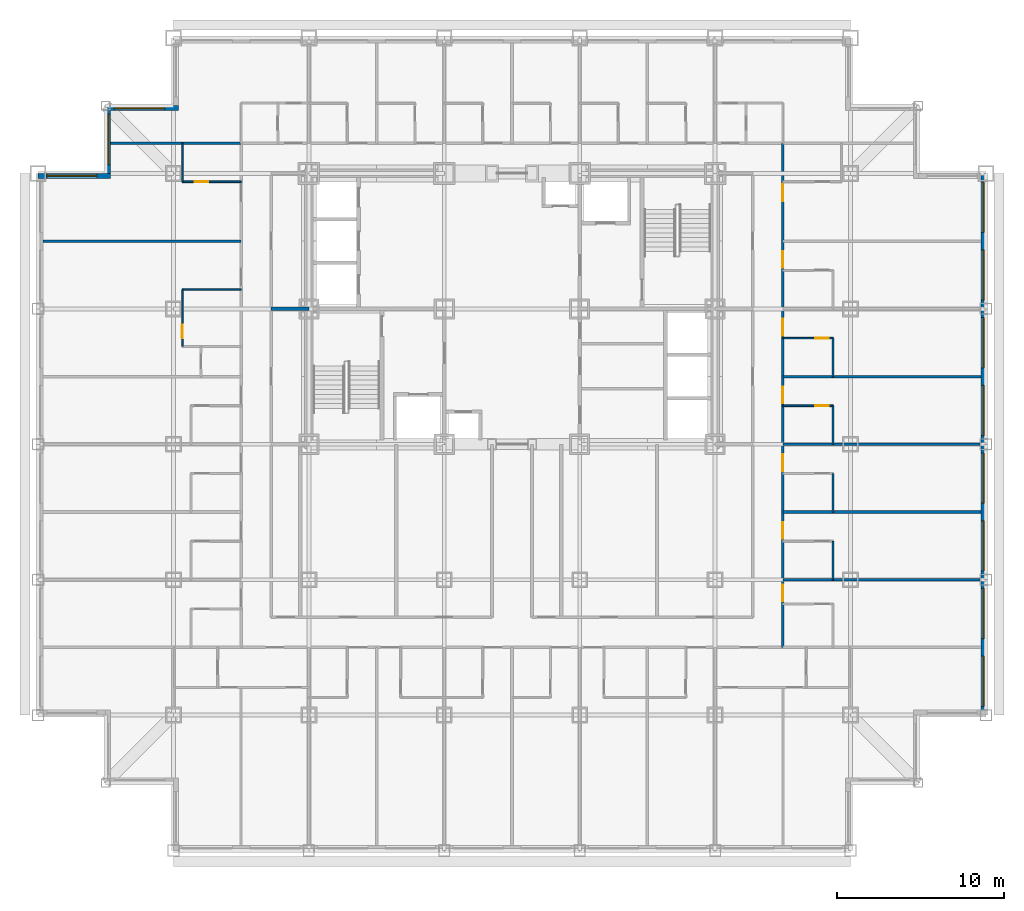
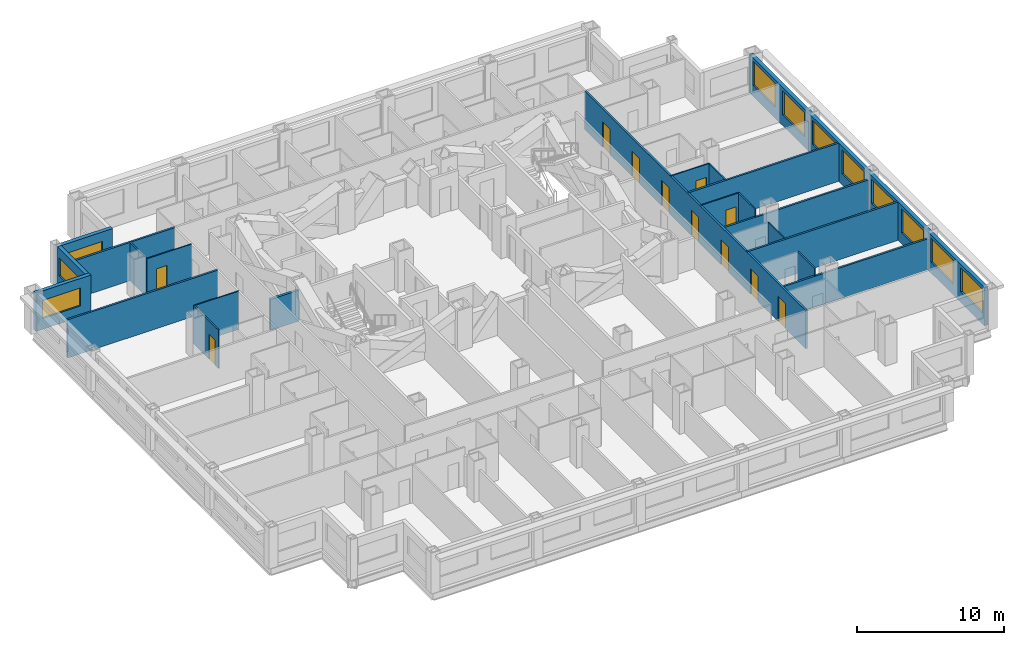
# One storey, part 7 of 11: 22 walls, 11 doors, 11 windows, 22 openings.
"""IFC4 building model written with IfcOpenShell, lengths in metres."""

from ifc_helpers import new_model, si_unit, direction, frame, frame_2d, origin, place, context, subcontext, project, spatial, rectangle, extrude, material, layer, layer_set, type_object, element, fill, save


model = new_model("IFC4")

# Units and contexts
model_context = context("Model", 3, precision=1e-05, world=origin(), true_north=direction((0.0, 1.0)))
body_context = subcontext(model_context, "Body", "Model", "MODEL_VIEW")
ifc_project = project(units=[si_unit("LENGTHUNIT", "METRE"), si_unit("AREAUNIT", "SQUARE_METRE"), si_unit("VOLUMEUNIT", "CUBIC_METRE"), si_unit("PLANEANGLEUNIT", "RADIAN"), si_unit("MASSUNIT", "GRAM", prefix="KILO")], contexts=[model_context])

# Site, building, storey
site_placement = place(None, origin())
site = spatial("IfcSite", under=ifc_project, at=site_placement, CompositionType="ELEMENT")
building_placement = place(site_placement, origin())
building = spatial("IfcBuilding", under=site, at=building_placement, Name="Kopane Lantern Tower", CompositionType="ELEMENT")
storey_placement = place(building_placement, frame((0.0, 0.0, 56.800048828125)))
storey = spatial("IfcBuildingStorey", under=building, at=storey_placement, Name="L13", CompositionType="ELEMENT", Elevation=56.800048828125)

# Wall, opening, door
ifc_material_1 = material(Name="Moisture-resistant board on steel studs", Category="steel")
ifc_layer_1 = layer(ifc_material_1, 0.10009765625)
ifc_layer_set_1 = layer_set([ifc_layer_1], Name="BATHROOM WALL 100")
wall_type_1 = type_object("IfcWallType", Name="BATHROOM WALL 100", PredefinedType="PARTITIONING", material=ifc_layer_set_1)
wall_1_placement = place(storey_placement, frame((8.635009765625, 30.14990234375, 0.0), z_axis=(0.0, 0.0, 1.0), x_axis=(0.0, 1.0, 0.0)))
wall_1 = element("IfcWall", 1, at=wall_1_placement, inside=storey, type_object=wall_type_1, Name="Bathroom Wall 100 L13", PredefinedType="PARTITIONING", context=body_context, shape_type="SweptSolid", body=[
    extrude(rectangle(XDim=3.400146484375, YDim=0.10009765625, at=frame_2d((1.7001953125, 0.0))), origin(), (0.0, 0.0, 1.0), 3.18994140625),
])
opening_1_placement = place(wall_1_placement, frame((0.487548828125, 0.0, 0.0)))
opening_1 = element("IfcOpeningElement", 2, at=opening_1_placement, cuts=wall_1, Name="Opening L13-043", PredefinedType="OPENING", context=body_context, shape_type="SweptSolid", body=[
    extrude(rectangle(XDim=0.800048828125, YDim=2.10009765625, at=frame_2d((0.39990234375, 1.050048828125))), frame((0.0, 0.06005859375, 0.0), z_axis=(0.0, -1.0, 0.0), x_axis=(1.0, 0.0, 0.0)), (0.0, 0.0, 1.0), 0.1201171875),
])
ifc_material_2 = material(Name="Timber door set", Category="wood")
door_type_1 = type_object("IfcDoorType", Name="DOOR D2 800x2100", OperationType="SINGLE_SWING_LEFT", PredefinedType="DOOR", material=ifc_material_2)
door_1_placement = place(opening_1_placement, origin())
door_1 = element("IfcDoor", 3, at=door_1_placement, inside=storey, type_object=door_type_1, Name="Door L13-043", OperationType="SINGLE_SWING_RIGHT", OverallHeight=2.10009765625, OverallWidth=0.800048828125, PredefinedType="DOOR", context=body_context, shape_type="SweptSolid", body=[
    extrude(rectangle(XDim=0.800048828125, YDim=2.10009765625, at=frame_2d((0.39990234375, 1.050048828125))), frame((0.0, 0.02490234375, 0.0), z_axis=(0.0, -1.0, 0.0), x_axis=(1.0, 0.0, 0.0)), (0.0, 0.0, 1.0), 0.050048828125),
])
fill(opening_1, door_1)

# Walls
wall_2_placement = place(storey_placement, frame((12.14990234375, 33.550048828125, 0.0), z_axis=(0.0, 0.0, 1.0), x_axis=(-1.0, 0.0, 0.0)))
element("IfcWall", 4, at=wall_2_placement, inside=storey, type_object=wall_type_1, Name="Bathroom Wall 100 L13", PredefinedType="PARTITIONING", context=body_context, shape_type="SweptSolid", body=[
    extrude(rectangle(XDim=3.514892578125, YDim=0.10009765625, at=frame_2d((1.75732421875, 0.0))), origin(), (0.0, 0.0, 1.0), 3.18994140625),
])
wall_3_placement = place(storey_placement, frame((8.635009765625, 40.0, 0.0), z_axis=(0.0, 0.0, 1.0), x_axis=(0.0, 1.0, 0.0)))
element("IfcWall", 5, at=wall_3_placement, inside=storey, type_object=wall_type_1, Name="Bathroom Wall 100 L13", PredefinedType="PARTITIONING", context=body_context, shape_type="SweptSolid", body=[
    extrude(rectangle(XDim=2.300048828125, YDim=0.10009765625, at=frame_2d((1.14990234375, 0.0))), origin(), (0.0, 0.0, 1.0), 3.18994140625),
])

# Wall, opening, door
wall_4_placement = place(storey_placement, frame((12.14990234375, 40.0, 0.0), z_axis=(0.0, 0.0, 1.0), x_axis=(-1.0, 0.0, 0.0)))
wall_4 = element("IfcWall", 6, at=wall_4_placement, inside=storey, type_object=wall_type_1, Name="Bathroom Wall 100 L13", PredefinedType="PARTITIONING", context=body_context, shape_type="SweptSolid", body=[
    extrude(rectangle(XDim=3.514892578125, YDim=0.10009765625, at=frame_2d((1.75732421875, 0.0))), origin(), (0.0, 0.0, 1.0), 3.18994140625),
])
opening_2_placement = place(wall_4_placement, frame((1.965087890625, 0.0, 0.0)))
opening_2 = element("IfcOpeningElement", 7, at=opening_2_placement, cuts=wall_4, Name="Opening L13-046", PredefinedType="OPENING", context=body_context, shape_type="SweptSolid", body=[
    extrude(rectangle(XDim=0.800048828125, YDim=2.10009765625, at=frame_2d((0.39990234375, 1.050048828125))), frame((0.0, 0.06005859375, 0.0), z_axis=(0.0, -1.0, 0.0), x_axis=(1.0, 0.0, 0.0)), (0.0, 0.0, 1.0), 0.1201171875),
])
door_2_placement = place(opening_2_placement, origin())
door_2 = element("IfcDoor", 8, at=door_2_placement, inside=storey, type_object=door_type_1, Name="Door L13-046", OperationType="SINGLE_SWING_LEFT", OverallHeight=2.10009765625, OverallWidth=0.800048828125, PredefinedType="DOOR", context=body_context, shape_type="SweptSolid", body=[
    extrude(rectangle(XDim=0.800048828125, YDim=2.10009765625, at=frame_2d((0.39990234375, 1.050048828125))), frame((0.0, 0.02490234375, 0.0), z_axis=(0.0, -1.0, 0.0), x_axis=(1.0, 0.0, 0.0)), (0.0, 0.0, 1.0), 0.050048828125),
])
fill(opening_2, door_2)

# Walls
for number, where, z_axis, x_axis, name in (
    (9, (47.550048828125, 16.199951171875, 0.0), (0.0, 0.0, 1.0), (0.0, 1.0, 0.0), "Bathroom Wall 100 L13"),
    (10, (47.550048828125, 20.25, 0.0), (0.0, 0.0, 1.0), (0.0, 1.0, 0.0), "Bathroom Wall 100 L13"),
    (11, (47.550048828125, 24.300048828125, 0.0), (0.0, 0.0, 1.0), (0.0, 1.0, 0.0), "Bathroom Wall 100 L13"),
):
    element("IfcWall", number, at=place(storey_placement, frame(where, z_axis=z_axis, x_axis=x_axis)), inside=storey, type_object=wall_type_1, Name=name, PredefinedType="PARTITIONING", context=body_context, shape_type="SweptSolid", body=[
        extrude(rectangle(XDim=2.300048828125, YDim=0.10009765625, at=frame_2d((1.14990234375, 0.0))), origin(), (0.0, 0.0, 1.0), 3.18994140625),
    ])

# Wall, opening, door
wall_5_placement = place(storey_placement, frame((44.550048828125, 26.60009765625, 0.0), z_axis=(0.0, 0.0, 1.0), x_axis=(1.0, 0.0, 0.0)))
wall_5 = element("IfcWall", 12, at=wall_5_placement, inside=storey, type_object=wall_type_1, Name="Bathroom Wall 100 L13", PredefinedType="PARTITIONING", context=body_context, shape_type="SweptSolid", body=[
    extrude(rectangle(XDim=3.0, YDim=0.10009765625, at=frame_2d((1.5, 0.0))), origin(), (0.0, 0.0, 1.0), 3.18994140625),
])
opening_3_placement = place(wall_5_placement, frame((1.949951171875, 0.0, 0.0)))
opening_3 = element("IfcOpeningElement", 13, at=opening_3_placement, cuts=wall_5, Name="Opening L13-054", PredefinedType="OPENING", context=body_context, shape_type="SweptSolid", body=[
    extrude(rectangle(XDim=0.800048828125, YDim=2.10009765625, at=frame_2d((0.39990234375, 1.050048828125))), frame((0.0, 0.06005859375, 0.0), z_axis=(0.0, -1.0, 0.0), x_axis=(1.0, 0.0, 0.0)), (0.0, 0.0, 1.0), 0.1201171875),
])
door_3_placement = place(opening_3_placement, origin())
door_3 = element("IfcDoor", 14, at=door_3_placement, inside=storey, type_object=door_type_1, Name="Door L13-054", OperationType="SINGLE_SWING_LEFT", OverallHeight=2.10009765625, OverallWidth=0.800048828125, PredefinedType="DOOR", context=body_context, shape_type="SweptSolid", body=[
    extrude(rectangle(XDim=0.800048828125, YDim=2.10009765625, at=frame_2d((0.39990234375, 1.050048828125))), frame((0.0, 0.02490234375, 0.0), z_axis=(0.0, -1.0, 0.0), x_axis=(1.0, 0.0, 0.0)), (0.0, 0.0, 1.0), 0.050048828125),
])
fill(opening_3, door_3)

# Wall
wall_6_placement = place(storey_placement, frame((47.550048828125, 28.35009765625, 0.0), z_axis=(0.0, 0.0, 1.0), x_axis=(0.0, 1.0, 0.0)))
element("IfcWall", 15, at=wall_6_placement, inside=storey, type_object=wall_type_1, Name="Bathroom Wall 100 L13", PredefinedType="PARTITIONING", context=body_context, shape_type="SweptSolid", body=[
    extrude(rectangle(XDim=2.2998046875, YDim=0.10009765625, at=frame_2d((1.14990234375, 0.0))), origin(), (0.0, 0.0, 1.0), 3.18994140625),
])

# Wall, opening, door
wall_7_placement = place(storey_placement, frame((44.550048828125, 30.64990234375, 0.0), z_axis=(0.0, 0.0, 1.0), x_axis=(1.0, 0.0, 0.0)))
wall_7 = element("IfcWall", 16, at=wall_7_placement, inside=storey, type_object=wall_type_1, Name="Bathroom Wall 100 L13", PredefinedType="PARTITIONING", context=body_context, shape_type="SweptSolid", body=[
    extrude(rectangle(XDim=3.0, YDim=0.10009765625, at=frame_2d((1.5, 0.0))), origin(), (0.0, 0.0, 1.0), 3.18994140625),
])
opening_4_placement = place(wall_7_placement, frame((1.949951171875, 0.0, 0.0)))
opening_4 = element("IfcOpeningElement", 17, at=opening_4_placement, cuts=wall_7, Name="Opening L13-056", PredefinedType="OPENING", context=body_context, shape_type="SweptSolid", body=[
    extrude(rectangle(XDim=0.800048828125, YDim=2.10009765625, at=frame_2d((0.39990234375, 1.050048828125))), frame((0.0, 0.06005859375, 0.0), z_axis=(0.0, -1.0, 0.0), x_axis=(1.0, 0.0, 0.0)), (0.0, 0.0, 1.0), 0.1201171875),
])
door_4_placement = place(opening_4_placement, origin())
door_4 = element("IfcDoor", 18, at=door_4_placement, inside=storey, type_object=door_type_1, Name="Door L13-056", OperationType="SINGLE_SWING_LEFT", OverallHeight=2.10009765625, OverallWidth=0.800048828125, PredefinedType="DOOR", context=body_context, shape_type="SweptSolid", body=[
    extrude(rectangle(XDim=0.800048828125, YDim=2.10009765625, at=frame_2d((0.39990234375, 1.050048828125))), frame((0.0, 0.02490234375, 0.0), z_axis=(0.0, -1.0, 0.0), x_axis=(1.0, 0.0, 0.0)), (0.0, 0.0, 1.0), 0.050048828125),
])
fill(opening_4, door_4)

# Wall, openings, doors
ifc_material_3 = material(Name="Gypsum board on steel studs", Category="steel")
ifc_layer_2 = layer(ifc_material_3, 0.14990234375)
ifc_layer_set_2 = layer_set([ifc_layer_2], Name="CORRIDOR WALL 150 EI 60")
wall_type_2 = type_object("IfcWallType", Name="CORRIDOR WALL 150 EI 60", PredefinedType="PARTITIONING", material=ifc_layer_set_2)
wall_8_placement = place(storey_placement, frame((44.550048828125, 12.14990234375, 0.0), z_axis=(0.0, 0.0, 1.0), x_axis=(0.0, 1.0, 0.0)))
wall_8 = element("IfcWall", 19, at=wall_8_placement, inside=storey, type_object=wall_type_2, Name="Corridor Wall 150 Ei 60 L13", PredefinedType="PARTITIONING", context=body_context, shape_type="SweptSolid", body=[
    extrude(rectangle(XDim=30.150146484375, YDim=0.14990234375, at=frame_2d((15.0751953125, 0.0))), origin(), (0.0, 0.0, 1.0), 3.18994140625),
])
opening_5_placement = place(wall_8_placement, frame((2.75, 0.0, 0.0)))
opening_5 = element("IfcOpeningElement", 20, at=opening_5_placement, cuts=wall_8, Name="Opening L13-049", PredefinedType="OPENING", context=body_context, shape_type="SweptSolid", body=[
    extrude(rectangle(XDim=1.0, YDim=2.10009765625, at=frame_2d((0.5, 1.050048828125))), frame((0.0, 0.0849609375, 0.0), z_axis=(0.0, -1.0, 0.0), x_axis=(1.0, 0.0, 0.0)), (0.0, 0.0, 1.0), 0.169921875),
])
opening_6_placement = place(wall_8_placement, frame((6.5, 0.0, 0.0)))
opening_6 = element("IfcOpeningElement", 21, at=opening_6_placement, cuts=wall_8, Name="Opening L13-051", PredefinedType="OPENING", context=body_context, shape_type="SweptSolid", body=[
    extrude(rectangle(XDim=1.0, YDim=2.10009765625, at=frame_2d((0.5, 1.050048828125))), frame((0.0, 0.0849609375, 0.0), z_axis=(0.0, -1.0, 0.0), x_axis=(1.0, 0.0, 0.0)), (0.0, 0.0, 1.0), 0.169921875),
])
opening_7_placement = place(wall_8_placement, frame((10.550048828125, 0.0, 0.0)))
opening_7 = element("IfcOpeningElement", 22, at=opening_7_placement, cuts=wall_8, Name="Opening L13-053", PredefinedType="OPENING", context=body_context, shape_type="SweptSolid", body=[
    extrude(rectangle(XDim=1.0, YDim=2.10009765625, at=frame_2d((0.5, 1.050048828125))), frame((0.0, 0.0849609375, 0.0), z_axis=(0.0, -1.0, 0.0), x_axis=(1.0, 0.0, 0.0)), (0.0, 0.0, 1.0), 0.169921875),
])
opening_8_placement = place(wall_8_placement, frame((14.60009765625, 0.0, 0.0)))
opening_8 = element("IfcOpeningElement", 23, at=opening_8_placement, cuts=wall_8, Name="Opening L13-055", PredefinedType="OPENING", context=body_context, shape_type="SweptSolid", body=[
    extrude(rectangle(XDim=1.0, YDim=2.10009765625, at=frame_2d((0.5, 1.050048828125))), frame((0.0, 0.0849609375, 0.0), z_axis=(0.0, -1.0, 0.0), x_axis=(1.0, 0.0, 0.0)), (0.0, 0.0, 1.0), 0.169921875),
])
opening_9_placement = place(wall_8_placement, frame((18.64990234375, 0.0, 0.0)))
opening_9 = element("IfcOpeningElement", 24, at=opening_9_placement, cuts=wall_8, Name="Opening L13-057", PredefinedType="OPENING", context=body_context, shape_type="SweptSolid", body=[
    extrude(rectangle(XDim=1.0, YDim=2.10009765625, at=frame_2d((0.5, 1.050048828125))), frame((0.0, 0.0849609375, 0.0), z_axis=(0.0, -1.0, 0.0), x_axis=(1.0, 0.0, 0.0)), (0.0, 0.0, 1.0), 0.169921875),
])
opening_10_placement = place(wall_8_placement, frame((22.699951171875, 0.0, 0.0)))
opening_10 = element("IfcOpeningElement", 25, at=opening_10_placement, cuts=wall_8, Name="Opening L13-059", PredefinedType="OPENING", context=body_context, shape_type="SweptSolid", body=[
    extrude(rectangle(XDim=1.0, YDim=2.10009765625, at=frame_2d((0.5, 1.050048828125))), frame((0.0, 0.0849609375, 0.0), z_axis=(0.0, -1.0, 0.0), x_axis=(1.0, 0.0, 0.0)), (0.0, 0.0, 1.0), 0.169921875),
])
opening_11_placement = place(wall_8_placement, frame((26.699951171875, 0.0, 0.0)))
opening_11 = element("IfcOpeningElement", 26, at=opening_11_placement, cuts=wall_8, Name="Opening L13-061", PredefinedType="OPENING", context=body_context, shape_type="SweptSolid", body=[
    extrude(rectangle(XDim=1.0, YDim=2.10009765625, at=frame_2d((0.5, 1.050048828125))), frame((0.0, 0.0849609375, 0.0), z_axis=(0.0, -1.0, 0.0), x_axis=(1.0, 0.0, 0.0)), (0.0, 0.0, 1.0), 0.169921875),
])
ifc_material_4 = material(Name="Steel door set", Category="steel")
door_type_2 = type_object("IfcDoorType", Name="DOOR D1 1000x2100 FD30S", OperationType="SINGLE_SWING_LEFT", PredefinedType="DOOR", material=ifc_material_4)
door_5_placement = place(opening_5_placement, origin())
door_5 = element("IfcDoor", 27, at=door_5_placement, inside=storey, type_object=door_type_2, Name="Door L13-049", OperationType="SINGLE_SWING_RIGHT", OverallHeight=2.10009765625, OverallWidth=1.0, PredefinedType="DOOR", context=body_context, shape_type="SweptSolid", body=[
    extrude(rectangle(XDim=1.0, YDim=2.10009765625, at=frame_2d((0.5, 1.050048828125))), frame((0.0, 0.02490234375, 0.0), z_axis=(0.0, -1.0, 0.0), x_axis=(1.0, 0.0, 0.0)), (0.0, 0.0, 1.0), 0.050048828125),
])
fill(opening_5, door_5)
door_6_placement = place(opening_6_placement, origin())
door_6 = element("IfcDoor", 28, at=door_6_placement, inside=storey, type_object=door_type_2, Name="Door L13-051", OperationType="SINGLE_SWING_RIGHT", OverallHeight=2.10009765625, OverallWidth=1.0, PredefinedType="DOOR", context=body_context, shape_type="SweptSolid", body=[
    extrude(rectangle(XDim=1.0, YDim=2.10009765625, at=frame_2d((0.5, 1.050048828125))), frame((0.0, 0.02490234375, 0.0), z_axis=(0.0, -1.0, 0.0), x_axis=(1.0, 0.0, 0.0)), (0.0, 0.0, 1.0), 0.050048828125),
])
fill(opening_6, door_6)
door_7_placement = place(opening_7_placement, origin())
door_7 = element("IfcDoor", 29, at=door_7_placement, inside=storey, type_object=door_type_2, Name="Door L13-053", OperationType="SINGLE_SWING_RIGHT", OverallHeight=2.10009765625, OverallWidth=1.0, PredefinedType="DOOR", context=body_context, shape_type="SweptSolid", body=[
    extrude(rectangle(XDim=1.0, YDim=2.10009765625, at=frame_2d((0.5, 1.050048828125))), frame((0.0, 0.02490234375, 0.0), z_axis=(0.0, -1.0, 0.0), x_axis=(1.0, 0.0, 0.0)), (0.0, 0.0, 1.0), 0.050048828125),
])
fill(opening_7, door_7)
door_8_placement = place(opening_8_placement, origin())
door_8 = element("IfcDoor", 30, at=door_8_placement, inside=storey, type_object=door_type_2, Name="Door L13-055", OperationType="SINGLE_SWING_RIGHT", OverallHeight=2.10009765625, OverallWidth=1.0, PredefinedType="DOOR", context=body_context, shape_type="SweptSolid", body=[
    extrude(rectangle(XDim=1.0, YDim=2.10009765625, at=frame_2d((0.5, 1.050048828125))), frame((0.0, 0.02490234375, 0.0), z_axis=(0.0, -1.0, 0.0), x_axis=(1.0, 0.0, 0.0)), (0.0, 0.0, 1.0), 0.050048828125),
])
fill(opening_8, door_8)
door_9_placement = place(opening_9_placement, origin())
door_9 = element("IfcDoor", 31, at=door_9_placement, inside=storey, type_object=door_type_2, Name="Door L13-057", OperationType="SINGLE_SWING_RIGHT", OverallHeight=2.10009765625, OverallWidth=1.0, PredefinedType="DOOR", context=body_context, shape_type="SweptSolid", body=[
    extrude(rectangle(XDim=1.0, YDim=2.10009765625, at=frame_2d((0.5, 1.050048828125))), frame((0.0, 0.02490234375, 0.0), z_axis=(0.0, -1.0, 0.0), x_axis=(1.0, 0.0, 0.0)), (0.0, 0.0, 1.0), 0.050048828125),
])
fill(opening_9, door_9)
door_10_placement = place(opening_10_placement, origin())
door_10 = element("IfcDoor", 32, at=door_10_placement, inside=storey, type_object=door_type_2, Name="Door L13-059", OperationType="SINGLE_SWING_RIGHT", OverallHeight=2.10009765625, OverallWidth=1.0, PredefinedType="DOOR", context=body_context, shape_type="SweptSolid", body=[
    extrude(rectangle(XDim=1.0, YDim=2.10009765625, at=frame_2d((0.5, 1.050048828125))), frame((0.0, 0.02490234375, 0.0), z_axis=(0.0, -1.0, 0.0), x_axis=(1.0, 0.0, 0.0)), (0.0, 0.0, 1.0), 0.050048828125),
])
fill(opening_10, door_10)
door_11_placement = place(opening_11_placement, origin())
door_11 = element("IfcDoor", 33, at=door_11_placement, inside=storey, type_object=door_type_2, Name="Door L13-061", OperationType="SINGLE_SWING_LEFT", OverallHeight=2.10009765625, OverallWidth=1.0, PredefinedType="DOOR", context=body_context, shape_type="SweptSolid", body=[
    extrude(rectangle(XDim=1.0, YDim=2.10009765625, at=frame_2d((0.5, 1.050048828125))), frame((0.0, 0.02490234375, 0.0), z_axis=(0.0, -1.0, 0.0), x_axis=(1.0, 0.0, 0.0)), (0.0, 0.0, 1.0), 0.050048828125),
])
fill(opening_11, door_11)

# Walls
ifc_material_5 = material(Name="Gypsum board on steel studs", Category="steel")
ifc_layer_3 = layer(ifc_material_5, 0.14990234375)
ifc_layer_set_3 = layer_set([ifc_layer_3], Name="DEMISING WALL 150 EI 60")
wall_type_3 = type_object("IfcWallType", Name="DEMISING WALL 150 EI 60", PredefinedType="PARTITIONING", material=ifc_layer_set_3)
wall_9_placement = place(storey_placement, frame((12.14990234375, 36.449951171875, 0.0), z_axis=(0.0, 0.0, 1.0), x_axis=(-1.0, 0.0, 0.0)))
element("IfcWall", 34, at=wall_9_placement, inside=storey, type_object=wall_type_3, Name="Demising Wall 150 Ei 60 L13", PredefinedType="PARTITIONING", context=body_context, shape_type="SweptSolid", body=[
    extrude(rectangle(XDim=11.849853515625, YDim=0.14990234375, at=frame_2d((5.9248046875, 0.0))), origin(), (0.0, 0.0, 1.0), 3.18994140625),
])
wall_10_placement = place(storey_placement, frame((44.550048828125, 16.199951171875, 0.0), z_axis=(0.0, 0.0, 1.0), x_axis=(1.0, 0.0, 0.0)))
element("IfcWall", 35, at=wall_10_placement, inside=storey, type_object=wall_type_3, Name="Demising Wall 150 Ei 60 L13", PredefinedType="PARTITIONING", context=body_context, shape_type="SweptSolid", body=[
    extrude(rectangle(XDim=11.849853515625, YDim=0.14990234375, at=frame_2d((5.9248046875, 0.0))), origin(), (0.0, 0.0, 1.0), 2.57763671875),
])
wall_11_placement = place(storey_placement, frame((44.550048828125, 20.25, 0.0), z_axis=(0.0, 0.0, 1.0), x_axis=(1.0, 0.0, 0.0)))
element("IfcWall", 36, at=wall_11_placement, inside=storey, type_object=wall_type_3, Name="Demising Wall 150 Ei 60 L13", PredefinedType="PARTITIONING", context=body_context, shape_type="SweptSolid", body=[
    extrude(rectangle(XDim=11.849853515625, YDim=0.14990234375, at=frame_2d((5.9248046875, 0.0))), origin(), (0.0, 0.0, 1.0), 3.18994140625),
])
wall_12_placement = place(storey_placement, frame((44.550048828125, 24.300048828125, 0.0), z_axis=(0.0, 0.0, 1.0), x_axis=(1.0, 0.0, 0.0)))
element("IfcWall", 37, at=wall_12_placement, inside=storey, type_object=wall_type_3, Name="Demising Wall 150 Ei 60 L13", PredefinedType="PARTITIONING", context=body_context, shape_type="SweptSolid", body=[
    extrude(rectangle(XDim=11.849853515625, YDim=0.14990234375, at=frame_2d((5.9248046875, 0.0))), origin(), (0.0, 0.0, 1.0), 2.57763671875),
])
wall_13_placement = place(storey_placement, frame((44.550048828125, 28.35009765625, 0.0), z_axis=(0.0, 0.0, 1.0), x_axis=(1.0, 0.0, 0.0)))
element("IfcWall", 38, at=wall_13_placement, inside=storey, type_object=wall_type_3, Name="Demising Wall 150 Ei 60 L13", PredefinedType="PARTITIONING", context=body_context, shape_type="SweptSolid", body=[
    extrude(rectangle(XDim=11.849853515625, YDim=0.14990234375, at=frame_2d((5.9248046875, 0.0))), origin(), (0.0, 0.0, 1.0), 3.18994140625),
])
wall_14_placement = place(storey_placement, frame((4.35009765625, 42.300048828125, 0.0), z_axis=(0.0, 0.0, 1.0), x_axis=(1.0, 0.0, 0.0)))
element("IfcWall", 39, at=wall_14_placement, inside=storey, type_object=wall_type_3, Name="Demising Wall 150 Ei 60 L13", PredefinedType="PARTITIONING", context=body_context, shape_type="SweptSolid", body=[
    extrude(rectangle(XDim=7.7998046875, YDim=0.14990234375, at=frame_2d((3.89990234375, 0.0))), origin(), (0.0, 0.0, 1.0), 3.18994140625),
])

# Wall, openings, windows
ifc_material_6 = material(Name="Terracotta rainscreen on light steel framing", Category="masonry")
ifc_layer_4 = layer(ifc_material_6, 0.300048828125)
ifc_layer_set_4 = layer_set([ifc_layer_4], Name="EXTERNAL WALL EW1 300 TERRACOTTA")
wall_type_4 = type_object("IfcWallType", Name="EXTERNAL WALL EW1 300 TERRACOTTA", PredefinedType="SOLIDWALL", material=ifc_layer_set_4)
wall_15_placement = place(storey_placement, frame((56.550048828125, 8.39990234375, 0.0), z_axis=(0.0, 0.0, 1.0), x_axis=(0.0, 1.0, 0.0)))
wall_15 = element("IfcWall", 40, at=wall_15_placement, inside=storey, type_object=wall_type_4, Name="External wall E L13", PredefinedType="SOLIDWALL", context=body_context, shape_type="SweptSolid", body=[
    extrude(rectangle(XDim=32.10009765625, YDim=0.300048828125, at=frame_2d((16.050048828125, 0.0))), origin(), (0.0, 0.0, 1.0), 3.18994140625),
])
opening_12_placement = place(wall_15_placement, frame((0.22509765625, 0.0, 0.89990234375)))
opening_12 = element("IfcOpeningElement", 41, at=opening_12_placement, cuts=wall_15, Name="Opening WR300200", PredefinedType="OPENING", context=body_context, shape_type="SweptSolid", body=[
    extrude(rectangle(XDim=3.0, YDim=2.0, at=frame_2d((1.5, 1.0))), frame((0.0, 0.159912109375, 0.0), z_axis=(0.0, -1.0, 0.0), x_axis=(1.0, 0.0, 0.0)), (0.0, 0.0, 1.0), 0.320068359375),
])
opening_13_placement = place(wall_15_placement, frame((4.27490234375, 0.0, 0.89990234375)))
opening_13 = element("IfcOpeningElement", 42, at=opening_13_placement, cuts=wall_15, Name="Opening WR300200", PredefinedType="OPENING", context=body_context, shape_type="SweptSolid", body=[
    extrude(rectangle(XDim=3.0, YDim=2.0, at=frame_2d((1.5, 1.0))), frame((0.0, 0.159912109375, 0.0), z_axis=(0.0, -1.0, 0.0), x_axis=(1.0, 0.0, 0.0)), (0.0, 0.0, 1.0), 0.320068359375),
])
opening_14_placement = place(wall_15_placement, frame((8.324951171875, 0.0, 0.89990234375)))
opening_14 = element("IfcOpeningElement", 43, at=opening_14_placement, cuts=wall_15, Name="Opening WR300200", PredefinedType="OPENING", context=body_context, shape_type="SweptSolid", body=[
    extrude(rectangle(XDim=3.0, YDim=2.0, at=frame_2d((1.5, 1.0))), frame((0.0, 0.159912109375, 0.0), z_axis=(0.0, -1.0, 0.0), x_axis=(1.0, 0.0, 0.0)), (0.0, 0.0, 1.0), 0.320068359375),
])
opening_15_placement = place(wall_15_placement, frame((12.375, 0.0, 0.89990234375)))
opening_15 = element("IfcOpeningElement", 44, at=opening_15_placement, cuts=wall_15, Name="Opening WR300200", PredefinedType="OPENING", context=body_context, shape_type="SweptSolid", body=[
    extrude(rectangle(XDim=3.0, YDim=2.0, at=frame_2d((1.5, 1.0))), frame((0.0, 0.159912109375, 0.0), z_axis=(0.0, -1.0, 0.0), x_axis=(1.0, 0.0, 0.0)), (0.0, 0.0, 1.0), 0.320068359375),
])
opening_16_placement = place(wall_15_placement, frame((16.425048828125, 0.0, 0.89990234375)))
opening_16 = element("IfcOpeningElement", 45, at=opening_16_placement, cuts=wall_15, Name="Opening WR300200", PredefinedType="OPENING", context=body_context, shape_type="SweptSolid", body=[
    extrude(rectangle(XDim=3.0, YDim=2.0, at=frame_2d((1.5, 1.0))), frame((0.0, 0.159912109375, 0.0), z_axis=(0.0, -1.0, 0.0), x_axis=(1.0, 0.0, 0.0)), (0.0, 0.0, 1.0), 0.320068359375),
])
opening_17_placement = place(wall_15_placement, frame((20.47509765625, 0.0, 0.89990234375)))
opening_17 = element("IfcOpeningElement", 46, at=opening_17_placement, cuts=wall_15, Name="Opening WR300200", PredefinedType="OPENING", context=body_context, shape_type="SweptSolid", body=[
    extrude(rectangle(XDim=3.0, YDim=2.0, at=frame_2d((1.5, 1.0))), frame((0.0, 0.159912109375, 0.0), z_axis=(0.0, -1.0, 0.0), x_axis=(1.0, 0.0, 0.0)), (0.0, 0.0, 1.0), 0.320068359375),
])
opening_18_placement = place(wall_15_placement, frame((24.52490234375, 0.0, 0.89990234375)))
opening_18 = element("IfcOpeningElement", 47, at=opening_18_placement, cuts=wall_15, Name="Opening WR300200", PredefinedType="OPENING", context=body_context, shape_type="SweptSolid", body=[
    extrude(rectangle(XDim=3.0, YDim=2.0, at=frame_2d((1.5, 1.0))), frame((0.0, 0.159912109375, 0.0), z_axis=(0.0, -1.0, 0.0), x_axis=(1.0, 0.0, 0.0)), (0.0, 0.0, 1.0), 0.320068359375),
])
opening_19_placement = place(wall_15_placement, frame((28.574951171875, 0.0, 0.89990234375)))
opening_19 = element("IfcOpeningElement", 48, at=opening_19_placement, cuts=wall_15, Name="Opening WR300200", PredefinedType="OPENING", context=body_context, shape_type="SweptSolid", body=[
    extrude(rectangle(XDim=3.0, YDim=2.0, at=frame_2d((1.5, 1.0))), frame((0.0, 0.159912109375, 0.0), z_axis=(0.0, -1.0, 0.0), x_axis=(1.0, 0.0, 0.0)), (0.0, 0.0, 1.0), 0.320068359375),
])
ifc_material_7 = material(Name="Aluminium and clear glass", Category="aluminium")
window_type_1 = type_object("IfcWindowType", Name="RIBBON WINDOW WR300200 3000x2000", PartitioningType="SINGLE_PANEL", PredefinedType="WINDOW", material=ifc_material_7)
window_1_placement = place(opening_12_placement, origin())
window_1 = element("IfcWindow", 49, at=window_1_placement, inside=storey, type_object=window_type_1, Name="Window E L13", OverallHeight=2.0, OverallWidth=3.0, PartitioningType="SINGLE_PANEL", PredefinedType="WINDOW", context=body_context, shape_type="SweptSolid", body=[
    extrude(rectangle(XDim=3.0, YDim=2.0, at=frame_2d((1.5, 1.0))), frame((0.0, 0.030029296875, 0.0), z_axis=(0.0, -1.0, 0.0), x_axis=(1.0, 0.0, 0.0)), (0.0, 0.0, 1.0), 0.06005859375),
])
fill(opening_12, window_1)
window_2_placement = place(opening_13_placement, origin())
window_2 = element("IfcWindow", 50, at=window_2_placement, inside=storey, type_object=window_type_1, Name="Window E L13", OverallHeight=2.0, OverallWidth=3.0, PartitioningType="SINGLE_PANEL", PredefinedType="WINDOW", context=body_context, shape_type="SweptSolid", body=[
    extrude(rectangle(XDim=3.0, YDim=2.0, at=frame_2d((1.5, 1.0))), frame((0.0, 0.030029296875, 0.0), z_axis=(0.0, -1.0, 0.0), x_axis=(1.0, 0.0, 0.0)), (0.0, 0.0, 1.0), 0.06005859375),
])
fill(opening_13, window_2)
window_3_placement = place(opening_14_placement, origin())
window_3 = element("IfcWindow", 51, at=window_3_placement, inside=storey, type_object=window_type_1, Name="Window E L13", OverallHeight=2.0, OverallWidth=3.0, PartitioningType="SINGLE_PANEL", PredefinedType="WINDOW", context=body_context, shape_type="SweptSolid", body=[
    extrude(rectangle(XDim=3.0, YDim=2.0, at=frame_2d((1.5, 1.0))), frame((0.0, 0.030029296875, 0.0), z_axis=(0.0, -1.0, 0.0), x_axis=(1.0, 0.0, 0.0)), (0.0, 0.0, 1.0), 0.06005859375),
])
fill(opening_14, window_3)
window_4_placement = place(opening_15_placement, origin())
window_4 = element("IfcWindow", 52, at=window_4_placement, inside=storey, type_object=window_type_1, Name="Window E L13", OverallHeight=2.0, OverallWidth=3.0, PartitioningType="SINGLE_PANEL", PredefinedType="WINDOW", context=body_context, shape_type="SweptSolid", body=[
    extrude(rectangle(XDim=3.0, YDim=2.0, at=frame_2d((1.5, 1.0))), frame((0.0, 0.030029296875, 0.0), z_axis=(0.0, -1.0, 0.0), x_axis=(1.0, 0.0, 0.0)), (0.0, 0.0, 1.0), 0.06005859375),
])
fill(opening_15, window_4)
window_5_placement = place(opening_16_placement, origin())
window_5 = element("IfcWindow", 53, at=window_5_placement, inside=storey, type_object=window_type_1, Name="Window E L13", OverallHeight=2.0, OverallWidth=3.0, PartitioningType="SINGLE_PANEL", PredefinedType="WINDOW", context=body_context, shape_type="SweptSolid", body=[
    extrude(rectangle(XDim=3.0, YDim=2.0, at=frame_2d((1.5, 1.0))), frame((0.0, 0.030029296875, 0.0), z_axis=(0.0, -1.0, 0.0), x_axis=(1.0, 0.0, 0.0)), (0.0, 0.0, 1.0), 0.06005859375),
])
fill(opening_16, window_5)
window_6_placement = place(opening_17_placement, origin())
window_6 = element("IfcWindow", 54, at=window_6_placement, inside=storey, type_object=window_type_1, Name="Window E L13", OverallHeight=2.0, OverallWidth=3.0, PartitioningType="SINGLE_PANEL", PredefinedType="WINDOW", context=body_context, shape_type="SweptSolid", body=[
    extrude(rectangle(XDim=3.0, YDim=2.0, at=frame_2d((1.5, 1.0))), frame((0.0, 0.030029296875, 0.0), z_axis=(0.0, -1.0, 0.0), x_axis=(1.0, 0.0, 0.0)), (0.0, 0.0, 1.0), 0.06005859375),
])
fill(opening_17, window_6)
window_7_placement = place(opening_18_placement, origin())
window_7 = element("IfcWindow", 55, at=window_7_placement, inside=storey, type_object=window_type_1, Name="Window E L13", OverallHeight=2.0, OverallWidth=3.0, PartitioningType="SINGLE_PANEL", PredefinedType="WINDOW", context=body_context, shape_type="SweptSolid", body=[
    extrude(rectangle(XDim=3.0, YDim=2.0, at=frame_2d((1.5, 1.0))), frame((0.0, 0.030029296875, 0.0), z_axis=(0.0, -1.0, 0.0), x_axis=(1.0, 0.0, 0.0)), (0.0, 0.0, 1.0), 0.06005859375),
])
fill(opening_18, window_7)
window_8_placement = place(opening_19_placement, origin())
window_8 = element("IfcWindow", 56, at=window_8_placement, inside=storey, type_object=window_type_1, Name="Window E L13", OverallHeight=2.0, OverallWidth=3.0, PartitioningType="SINGLE_PANEL", PredefinedType="WINDOW", context=body_context, shape_type="SweptSolid", body=[
    extrude(rectangle(XDim=3.0, YDim=2.0, at=frame_2d((1.5, 1.0))), frame((0.0, 0.030029296875, 0.0), z_axis=(0.0, -1.0, 0.0), x_axis=(1.0, 0.0, 0.0)), (0.0, 0.0, 1.0), 0.06005859375),
])
fill(opening_19, window_8)

# Wall, opening, window
wall_16_placement = place(storey_placement, frame((8.39990234375, 44.39990234375, 0.0), z_axis=(0.0, 0.0, 1.0), x_axis=(-1.0, 0.0, 0.0)))
wall_16 = element("IfcWall", 57, at=wall_16_placement, inside=storey, type_object=wall_type_4, Name="External wall N L13", PredefinedType="SOLIDWALL", context=body_context, shape_type="SweptSolid", body=[
    extrude(rectangle(XDim=4.349853515625, YDim=0.300048828125, at=frame_2d((2.1748046875, 0.0))), origin(), (0.0, 0.0, 1.0), 3.18994140625),
])
opening_20_placement = place(wall_16_placement, frame((0.824951171875, 0.0, 0.89990234375)))
opening_20 = element("IfcOpeningElement", 58, at=opening_20_placement, cuts=wall_16, Name="Opening WR300150", PredefinedType="OPENING", context=body_context, shape_type="SweptSolid", body=[
    extrude(rectangle(XDim=3.0, YDim=1.5, at=frame_2d((1.5, 0.75))), frame((0.0, 0.159912109375, 0.0), z_axis=(0.0, -1.0, 0.0), x_axis=(1.0, 0.0, 0.0)), (0.0, 0.0, 1.0), 0.320068359375),
])
ifc_material_8 = material(Name="Aluminium and clear glass", Category="aluminium")
window_type_2 = type_object("IfcWindowType", Name="RIBBON WINDOW WR300150 3000x1500", PartitioningType="SINGLE_PANEL", PredefinedType="WINDOW", material=ifc_material_8)
window_9_placement = place(opening_20_placement, origin())
window_9 = element("IfcWindow", 59, at=window_9_placement, inside=storey, type_object=window_type_2, Name="Window N L13", OverallHeight=1.5, OverallWidth=3.0, PartitioningType="SINGLE_PANEL", PredefinedType="WINDOW", context=body_context, shape_type="SweptSolid", body=[
    extrude(rectangle(XDim=3.0, YDim=1.5, at=frame_2d((1.5, 0.75))), frame((0.0, 0.030029296875, 0.0), z_axis=(0.0, -1.0, 0.0), x_axis=(1.0, 0.0, 0.0)), (0.0, 0.0, 1.0), 0.06005859375),
])
fill(opening_20, window_9)

wall_17_placement = place(storey_placement, frame((4.199951171875, 44.25, 0.0), z_axis=(0.0, 0.0, 1.0), x_axis=(0.0, -1.0, 0.0)))
wall_17 = element("IfcWall", 60, at=wall_17_placement, inside=storey, type_object=wall_type_4, Name="External wall W L13", PredefinedType="SOLIDWALL", context=body_context, shape_type="SweptSolid", body=[
    extrude(rectangle(XDim=3.75, YDim=0.300048828125, at=frame_2d((1.875, 0.0))), origin(), (0.0, 0.0, 1.0), 3.18994140625),
])
opening_21_placement = place(wall_17_placement, frame((0.22509765625, 0.0, 0.89990234375)))
opening_21 = element("IfcOpeningElement", 61, at=opening_21_placement, cuts=wall_17, Name="Opening WR300150", PredefinedType="OPENING", context=body_context, shape_type="SweptSolid", body=[
    extrude(rectangle(XDim=3.0, YDim=1.5, at=frame_2d((1.5, 0.75))), frame((0.0, 0.159912109375, 0.0), z_axis=(0.0, -1.0, 0.0), x_axis=(1.0, 0.0, 0.0)), (0.0, 0.0, 1.0), 0.320068359375),
])
window_10_placement = place(opening_21_placement, origin())
window_10 = element("IfcWindow", 62, at=window_10_placement, inside=storey, type_object=window_type_2, Name="Window W L13", OverallHeight=1.5, OverallWidth=3.0, PartitioningType="SINGLE_PANEL", PredefinedType="WINDOW", context=body_context, shape_type="SweptSolid", body=[
    extrude(rectangle(XDim=3.0, YDim=1.5, at=frame_2d((1.5, 0.75))), frame((0.0, 0.030029296875, 0.0), z_axis=(0.0, -1.0, 0.0), x_axis=(1.0, 0.0, 0.0)), (0.0, 0.0, 1.0), 0.06005859375),
])
fill(opening_21, window_10)

wall_18_placement = place(storey_placement, frame((4.35009765625, 40.35009765625, 0.0), z_axis=(0.0, 0.0, 1.0), x_axis=(-1.0, 0.0, 0.0)))
wall_18 = element("IfcWall", 63, at=wall_18_placement, inside=storey, type_object=wall_type_4, Name="External wall N L13", PredefinedType="SOLIDWALL", context=body_context, shape_type="SweptSolid", body=[
    extrude(rectangle(XDim=4.35009765625, YDim=0.300048828125, at=frame_2d((2.175048828125, 0.0))), origin(), (0.0, 0.0, 1.0), 3.18994140625),
])
opening_22_placement = place(wall_18_placement, frame((0.824951171875, 0.0, 0.89990234375)))
opening_22 = element("IfcOpeningElement", 64, at=opening_22_placement, cuts=wall_18, Name="Opening WR300150", PredefinedType="OPENING", context=body_context, shape_type="SweptSolid", body=[
    extrude(rectangle(XDim=3.0, YDim=1.5, at=frame_2d((1.5, 0.75))), frame((0.0, 0.159912109375, 0.0), z_axis=(0.0, -1.0, 0.0), x_axis=(1.0, 0.0, 0.0)), (0.0, 0.0, 1.0), 0.320068359375),
])
window_11_placement = place(opening_22_placement, origin())
window_11 = element("IfcWindow", 65, at=window_11_placement, inside=storey, type_object=window_type_2, Name="Window N L13", OverallHeight=1.5, OverallWidth=3.0, PartitioningType="SINGLE_PANEL", PredefinedType="WINDOW", context=body_context, shape_type="SweptSolid", body=[
    extrude(rectangle(XDim=3.0, YDim=1.5, at=frame_2d((1.5, 0.75))), frame((0.0, 0.030029296875, 0.0), z_axis=(0.0, -1.0, 0.0), x_axis=(1.0, 0.0, 0.0)), (0.0, 0.0, 1.0), 0.06005859375),
])
fill(opening_22, window_11)

# Wall
ifc_material_9 = material(Name="Concrete masonry", Category="masonry")
ifc_layer_5 = layer(ifc_material_9, 0.199951171875)
ifc_layer_set_5 = layer_set([ifc_layer_5], Name="PLANT ROOM WALL 200 EI 120")
wall_type_5 = type_object("IfcWallType", Name="PLANT ROOM WALL 200 EI 120", PredefinedType="SOLIDWALL", material=ifc_layer_set_5)
wall_19_placement = place(storey_placement, frame((13.949951171875, 32.39990234375, 0.0), z_axis=(0.0, 0.0, 1.0), x_axis=(1.0, 0.0, 0.0)))
element("IfcWall", 66, at=wall_19_placement, inside=storey, type_object=wall_type_5, Name="Plant Room Wall 200 Ei 120 L13", PredefinedType="SOLIDWALL", context=body_context, shape_type="SweptSolid", body=[
    extrude(rectangle(XDim=2.25, YDim=0.199951171875, at=frame_2d((1.125, 0.0))), origin(), (0.0, 0.0, 1.0), 2.57763671875),
])

save(model, "model.ifc")
